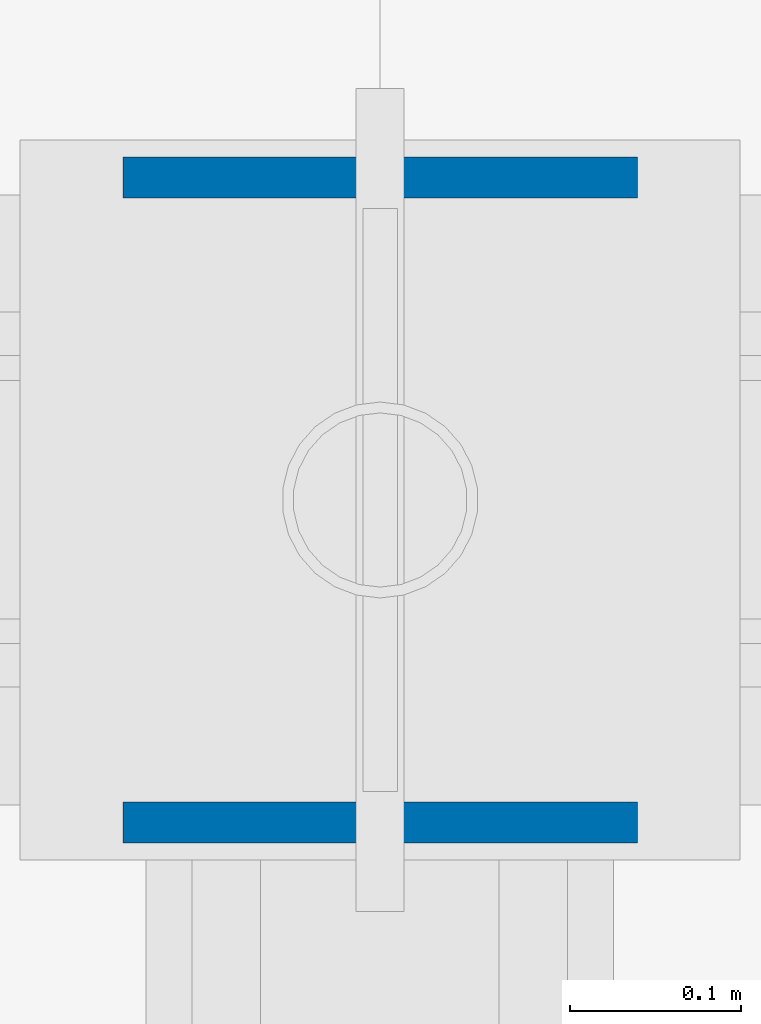
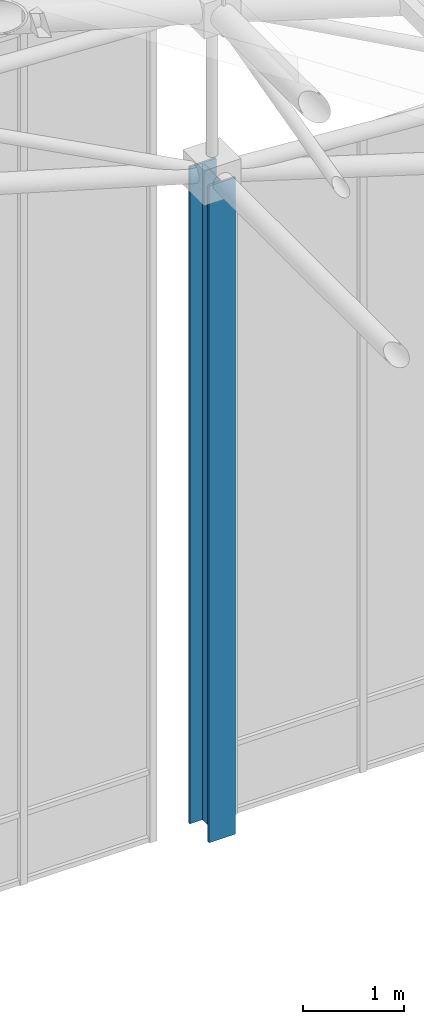
# One storey, part 8 of 144: 1 column.
"""IFC4 building model written with IfcOpenShell, lengths in metres."""

from ifc_helpers import new_model, si_unit, direction, frame, origin, origin_2d, place, context, subcontext, project, spatial, i_section, extrude, material, material_profile, profile_set, type_object, element, save


model = new_model("IFC4")

# Units and contexts
model_context = context("Model", 3, precision=1e-05, world=origin(), true_north=direction((0.0, 1.0)))
body_context = subcontext(model_context, "Body", "Model", "MODEL_VIEW")
ifc_project = project(units=[si_unit("LENGTHUNIT", "METRE"), si_unit("AREAUNIT", "SQUARE_METRE"), si_unit("VOLUMEUNIT", "CUBIC_METRE"), si_unit("PLANEANGLEUNIT", "RADIAN"), si_unit("MASSUNIT", "GRAM", prefix="KILO")], contexts=[model_context])

# Site, building, storey
site_placement = place(None, origin())
site = spatial("IfcSite", under=ifc_project, at=site_placement, CompositionType="ELEMENT")
building_placement = place(site_placement, origin())
building = spatial("IfcBuilding", under=site, at=building_placement, Name="Zayran Congress Hotel", CompositionType="ELEMENT")
storey_placement = place(building_placement, frame((0.0, 0.0, 19.199951171875)))
storey = spatial("IfcBuildingStorey", under=building, at=storey_placement, Name="L04", CompositionType="ELEMENT", Elevation=19.199951171875)

# Column
ifc_material = material(Name="Steel S355", Category="steel")
ifc_material_profile = material_profile(ifc_material, i_section(OverallWidth=0.300048828125, OverallDepth=0.39990234375, WebThickness=0.013427734375, FlangeThickness=0.02392578125, at=origin_2d()), Name="HEB 400")
ifc_profile_set = profile_set([ifc_material_profile], Name="Steel S355")
column_type = type_object("IfcColumnType", Name="TP-CL-07", PredefinedType="COLUMN", material=ifc_profile_set)
column_placement = place(storey_placement, frame((67.199951171875, 117.39990234375, 0.0), z_axis=(0.0, 0.0, 1.0), x_axis=(1.0, 0.0, 0.0)))
element("IfcColumn", 1, at=column_placement, inside=storey, type_object=column_type, Name="COL-V1-GAB-1422", PredefinedType="COLUMN", context=body_context, shape_type="SweptSolid", body=[
    extrude(i_section(OverallWidth=0.300048828125, OverallDepth=0.39990234375, WebThickness=0.013427734375, FlangeThickness=0.02392578125, at=origin_2d()), origin(), (0.0, 0.0, 1.0), 7.900146484375),
])

save(model, "model.ifc")
